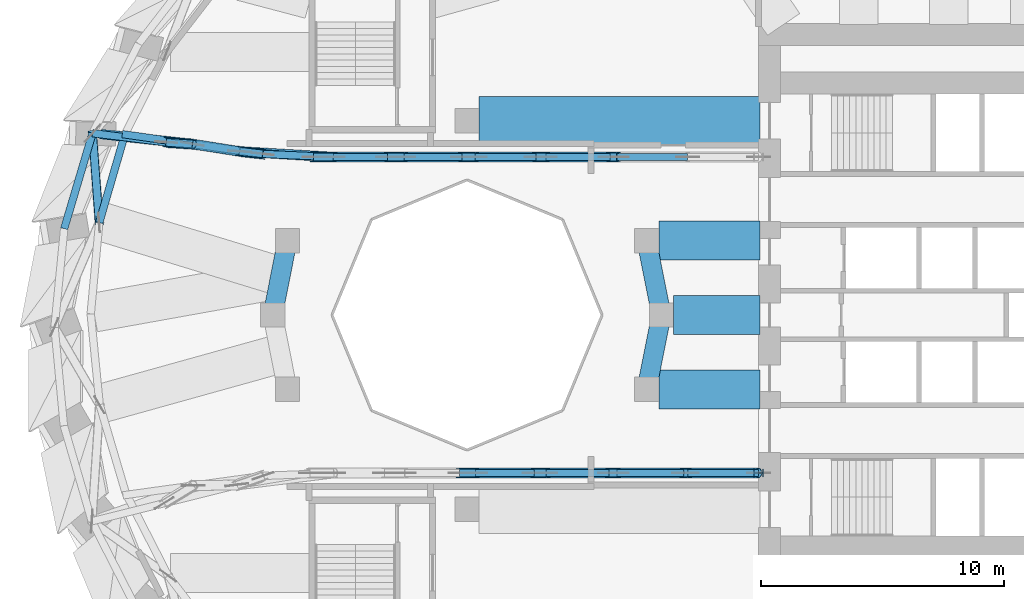
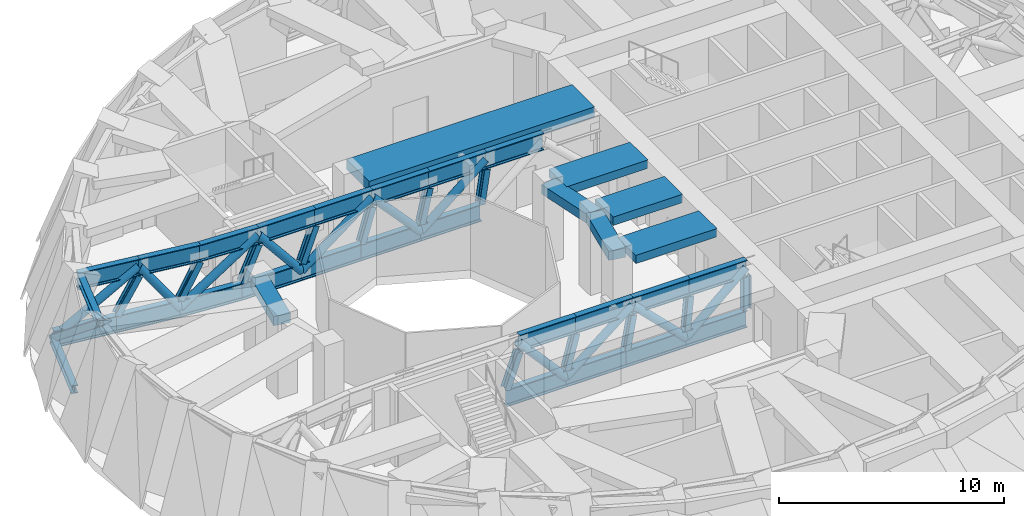
# One storey, part 3 of 14: 49 members, 7 beams.
"""IFC4 building model written with IfcOpenShell, lengths in metres."""

from ifc_helpers import new_model, si_unit, direction, frame, origin, origin_2d, place, context, subcontext, project, spatial, rectangle, hollow_rectangle, hollow_circle, i_section, extrude, material, material_profile, profile_set, type_object, element, save


model = new_model("IFC4")

# Units and contexts
model_context = context("Model", 3, precision=1e-05, world=origin(), true_north=direction((0.0, 1.0)))
body_context = subcontext(model_context, "Body", "Model", "MODEL_VIEW")
ifc_project = project(units=[si_unit("LENGTHUNIT", "METRE"), si_unit("AREAUNIT", "SQUARE_METRE"), si_unit("VOLUMEUNIT", "CUBIC_METRE"), si_unit("PLANEANGLEUNIT", "RADIAN"), si_unit("MASSUNIT", "GRAM", prefix="KILO")], contexts=[model_context])

# Site, building, storey
site_placement = place(None, origin())
site = spatial("IfcSite", under=ifc_project, at=site_placement, CompositionType="ELEMENT")
building_placement = place(site_placement, origin())
building = spatial("IfcBuilding", under=site, at=building_placement, Name="Taillehof Tower", CompositionType="ELEMENT")
storey_placement = place(building_placement, frame((0.0, 0.0, 135.10009765625)))
storey = spatial("IfcBuildingStorey", under=building, at=storey_placement, Name="L38", CompositionType="ELEMENT", Elevation=135.10009765625)

# Beams
ifc_material_1 = material(Name="Concrete C50/60", Category="concrete")
ifc_material_profile_1 = material_profile(ifc_material_1, rectangle(XDim=0.800048828125, YDim=0.5, at=origin_2d()), Name="RC 800x500")
ifc_profile_set_1 = profile_set([ifc_material_profile_1], Name="Concrete C50/60")
beam_type_1 = type_object("IfcBeamType", Name="Atrium ring beam C50/60 800x500", PredefinedType="BEAM", material=ifc_profile_set_1)
for number, where, z_axis, x_axis, name in (
    (1, (0.0, 0.0, 3.83984375), (-0.195063155143, 0.980790683839, 0.0), (-0.980790683839, -0.195063155143, 0.0), "Atrium ring beam AB01"),
    (2, (-15.39111328125, 3.0615234375, 3.83984375), (-0.195063155143, -0.980790683839, 0.0), (0.980790683839, -0.195063155143, 0.0), "Atrium ring beam AB04"),
    (3, (-0.60888671875, -3.0615234375, 3.83984375), (0.195063155143, 0.980790683839, 0.0), (-0.980790683839, 0.195063155143, 0.0), "Atrium ring beam AB08"),
):
    element("IfcBeam", number, at=place(storey_placement, frame(where, z_axis=z_axis, x_axis=x_axis)), inside=storey, type_object=beam_type_1, Name=name, PredefinedType="BEAM", context=body_context, shape_type="SweptSolid", body=[
        extrude(rectangle(XDim=0.800048828125, YDim=0.5, at=origin_2d()), origin(), (0.0, 0.0, 1.0), 3.12158203125),
    ])

# Members
ifc_material_2 = material(Name="Steel S460M", Category="steel")
ifc_material_profile_2 = material_profile(ifc_material_2, i_section(OverallWidth=0.306884765625, OverallDepth=0.431884765625, WebThickness=0.02099609375, FlangeThickness=0.0400390625, FilletRadius=0.027099609375, at=origin_2d()), Name="HEM 400")
ifc_profile_set_2 = profile_set([ifc_material_profile_2], Name="Steel S460M")
member_type_1 = type_object("IfcMemberType", Name="Belt truss chord HEM 400", PredefinedType="CHORD", material=ifc_profile_set_2)
member_1_placement = place(storey_placement, frame((-23.4130859375, 7.480712890625, 0.89990234375), z_axis=(-0.28449215675, -0.958678367727, 0.0), x_axis=(0.958678367727, -0.28449215675, 0.0)))
element("IfcMember", 4, at=member_1_placement, inside=storey, type_object=member_type_1, Name="Belt truss bottom chord BB17", PredefinedType="CHORD", context=body_context, shape_type="SweptSolid", body=[
    extrude(i_section(OverallWidth=0.306884765625, OverallDepth=0.431884765625, WebThickness=0.02099609375, FlangeThickness=0.0400390625, FilletRadius=0.027099609375, at=origin_2d()), origin(), (0.0, 0.0, 1.0), 4.095947265625),
])
member_2_placement = place(storey_placement, frame((-22.078857421875, 7.440673828125, 3.8740234375), z_axis=(-0.279047763947, -0.960277223221, 0.0), x_axis=(0.960277223221, -0.279047763947, 0.0)))
element("IfcMember", 5, at=member_2_placement, inside=storey, type_object=member_type_1, Name="Belt truss top chord BT17", PredefinedType="CHORD", context=body_context, shape_type="SweptSolid", body=[
    extrude(i_section(OverallWidth=0.306884765625, OverallDepth=0.431884765625, WebThickness=0.02099609375, FlangeThickness=0.0400390625, FilletRadius=0.027099609375, at=origin_2d()), origin(), (0.0, 0.0, 1.0), 3.791015625),
])
ifc_material_3 = material(Name="Steel S460M", Category="steel")
ifc_material_profile_3 = material_profile(ifc_material_3, hollow_rectangle(XDim=0.35009765625, YDim=0.35009765625, WallThickness=0.01611328125, InnerFilletRadius=0.01611328125, OuterFilletRadius=0.02392578125, at=origin_2d()), Name="RHS 350x350x16")
ifc_profile_set_3 = profile_set([ifc_material_profile_3], Name="Steel S460M")
member_type_2 = type_object("IfcMemberType", Name="Belt truss diagonal RHS 350x350x16", PredefinedType="BRACE", material=ifc_profile_set_3)
member_3_placement = place(storey_placement, frame((-23.4130859375, 7.480712890625, 0.89990234375), z_axis=(0.058305747327, -0.776465672223, 0.627456372737), x_axis=(0.997192522353, 0.074880393718, 0.0)))
element("IfcMember", 6, at=member_3_placement, inside=storey, type_object=member_type_2, Name="Belt truss diagonal BX17", PredefinedType="BRACE", context=body_context, shape_type="SweptSolid", body=[
    extrude(hollow_rectangle(XDim=0.35009765625, YDim=0.35009765625, WallThickness=0.01611328125, InnerFilletRadius=0.01611328125, OuterFilletRadius=0.02392578125, at=origin_2d()), origin(), (0.0, 0.0, 1.0), 4.739990234375),
])
ifc_material_4 = material(Name="Steel S460M", Category="steel")
ifc_material_profile_4 = material_profile(ifc_material_4, i_section(OverallWidth=0.302001953125, OverallDepth=0.909912109375, WebThickness=0.02099609375, FlangeThickness=0.0400390625, FilletRadius=0.030029296875, at=origin_2d()), Name="HEM 900")
ifc_profile_set_4 = profile_set([ifc_material_profile_4], Name="Steel S460M")
member_type_3 = type_object("IfcMemberType", Name="Outrigger chord HEM 900", PredefinedType="CHORD", material=ifc_profile_set_4)
member_4_placement = place(storey_placement, frame((1.0830078125, 6.5, 3.635009765625), z_axis=(-1.0, 0.0, 0.0), x_axis=(0.0, -1.0, 0.0)))
element("IfcMember", 7, at=member_4_placement, inside=storey, type_object=member_type_3, Name="Outrigger OT5 top chord 02", PredefinedType="CHORD", context=body_context, shape_type="SweptSolid", body=[
    extrude(i_section(OverallWidth=0.302001953125, OverallDepth=0.909912109375, WebThickness=0.02099609375, FlangeThickness=0.0400390625, FilletRadius=0.030029296875, at=origin_2d()), origin(), (0.0, 0.0, 1.0), 2.916748046875),
])
member_5_placement = place(storey_placement, frame((-2.105224609375, 6.5, 0.89990234375), z_axis=(-1.0, 0.0, 0.0), x_axis=(0.0, -1.0, 0.0)))
element("IfcMember", 8, at=member_5_placement, inside=storey, type_object=member_type_3, Name="Outrigger OT5 bottom chord 03", PredefinedType="CHORD", context=body_context, shape_type="SweptSolid", body=[
    extrude(i_section(OverallWidth=0.302001953125, OverallDepth=0.909912109375, WebThickness=0.02099609375, FlangeThickness=0.0400390625, FilletRadius=0.030029296875, at=origin_2d()), origin(), (0.0, 0.0, 1.0), 3.052734375),
])
member_6_placement = place(storey_placement, frame((-1.833740234375, 6.5, 3.635009765625), z_axis=(-1.0, 0.0, 0.0), x_axis=(0.0, -1.0, 0.0)))
element("IfcMember", 9, at=member_6_placement, inside=storey, type_object=member_type_3, Name="Outrigger OT5 top chord 03", PredefinedType="CHORD", context=body_context, shape_type="SweptSolid", body=[
    extrude(i_section(OverallWidth=0.302001953125, OverallDepth=0.909912109375, WebThickness=0.02099609375, FlangeThickness=0.0400390625, FilletRadius=0.030029296875, at=origin_2d()), origin(), (0.0, 0.0, 1.0), 2.9169921875),
])
member_7_placement = place(storey_placement, frame((-5.157958984375, 6.5, 0.89990234375), z_axis=(-1.0, 0.0, 0.0), x_axis=(0.0, -1.0, 0.0)))
element("IfcMember", 10, at=member_7_placement, inside=storey, type_object=member_type_3, Name="Outrigger OT5 bottom chord 04", PredefinedType="CHORD", context=body_context, shape_type="SweptSolid", body=[
    extrude(i_section(OverallWidth=0.302001953125, OverallDepth=0.909912109375, WebThickness=0.02099609375, FlangeThickness=0.0400390625, FilletRadius=0.030029296875, at=origin_2d()), origin(), (0.0, 0.0, 1.0), 3.052490234375),
])
member_8_placement = place(storey_placement, frame((-4.750732421875, 6.5, 3.635009765625), z_axis=(-1.0, 0.0, 0.0), x_axis=(0.0, -1.0, 0.0)))
element("IfcMember", 11, at=member_8_placement, inside=storey, type_object=member_type_3, Name="Outrigger OT5 top chord 04", PredefinedType="CHORD", context=body_context, shape_type="SweptSolid", body=[
    extrude(i_section(OverallWidth=0.302001953125, OverallDepth=0.909912109375, WebThickness=0.02099609375, FlangeThickness=0.0400390625, FilletRadius=0.030029296875, at=origin_2d()), origin(), (0.0, 0.0, 1.0), 2.9169921875),
])
member_9_placement = place(storey_placement, frame((-8.21044921875, 6.5, 0.89990234375), z_axis=(-1.0, 0.0, 0.0), x_axis=(0.0, -1.0, 0.0)))
element("IfcMember", 12, at=member_9_placement, inside=storey, type_object=member_type_3, Name="Outrigger OT5 bottom chord 05", PredefinedType="CHORD", context=body_context, shape_type="SweptSolid", body=[
    extrude(i_section(OverallWidth=0.302001953125, OverallDepth=0.909912109375, WebThickness=0.02099609375, FlangeThickness=0.0400390625, FilletRadius=0.030029296875, at=origin_2d()), origin(), (0.0, 0.0, 1.0), 3.052734375),
])
member_10_placement = place(storey_placement, frame((-7.667724609375, 6.5, 3.635009765625), z_axis=(-1.0, 0.0, 0.0), x_axis=(0.0, -1.0, 0.0)))
element("IfcMember", 13, at=member_10_placement, inside=storey, type_object=member_type_3, Name="Outrigger OT5 top chord 05", PredefinedType="CHORD", context=body_context, shape_type="SweptSolid", body=[
    extrude(i_section(OverallWidth=0.302001953125, OverallDepth=0.909912109375, WebThickness=0.02099609375, FlangeThickness=0.0400390625, FilletRadius=0.030029296875, at=origin_2d()), origin(), (0.0, 0.0, 1.0), 2.9169921875),
])
member_11_placement = place(storey_placement, frame((-11.26318359375, 6.5, 0.89990234375), z_axis=(-1.0, 0.0, 0.0), x_axis=(0.0, -1.0, 0.0)))
element("IfcMember", 14, at=member_11_placement, inside=storey, type_object=member_type_3, Name="Outrigger OT5 bottom chord 06", PredefinedType="CHORD", context=body_context, shape_type="SweptSolid", body=[
    extrude(i_section(OverallWidth=0.302001953125, OverallDepth=0.909912109375, WebThickness=0.02099609375, FlangeThickness=0.0400390625, FilletRadius=0.030029296875, at=origin_2d()), origin(), (0.0, 0.0, 1.0), 3.052490234375),
])
member_12_placement = place(storey_placement, frame((-10.584716796875, 6.5, 3.635009765625), z_axis=(-1.0, 0.0, 0.0), x_axis=(0.0, -1.0, 0.0)))
element("IfcMember", 15, at=member_12_placement, inside=storey, type_object=member_type_3, Name="Outrigger OT5 top chord 06", PredefinedType="CHORD", context=body_context, shape_type="SweptSolid", body=[
    extrude(i_section(OverallWidth=0.302001953125, OverallDepth=0.909912109375, WebThickness=0.02099609375, FlangeThickness=0.0400390625, FilletRadius=0.030029296875, at=origin_2d()), origin(), (0.0, 0.0, 1.0), 2.916748046875),
])
member_13_placement = place(storey_placement, frame((-14.315673828125, 6.5, 0.89990234375), z_axis=(-0.997154015173, 0.075391445306, 0.0), x_axis=(-0.075391445306, -0.997154015173, 0.0)))
element("IfcMember", 16, at=member_13_placement, inside=storey, type_object=member_type_3, Name="Outrigger OT5 bottom chord 07", PredefinedType="CHORD", context=body_context, shape_type="SweptSolid", body=[
    extrude(i_section(OverallWidth=0.302001953125, OverallDepth=0.909912109375, WebThickness=0.02099609375, FlangeThickness=0.0400390625, FilletRadius=0.030029296875, at=origin_2d()), origin(), (0.0, 0.0, 1.0), 3.04736328125),
])
member_14_placement = place(storey_placement, frame((-13.50146484375, 6.5, 3.635009765625), z_axis=(-0.999026333124, 0.044117861743, 0.0), x_axis=(-0.044117861743, -0.999026333124, 0.0)))
element("IfcMember", 17, at=member_14_placement, inside=storey, type_object=member_type_3, Name="Outrigger OT5 top chord 07", PredefinedType="CHORD", context=body_context, shape_type="SweptSolid", body=[
    extrude(i_section(OverallWidth=0.302001953125, OverallDepth=0.909912109375, WebThickness=0.02099609375, FlangeThickness=0.0400390625, FilletRadius=0.030029296875, at=origin_2d()), origin(), (0.0, 0.0, 1.0), 2.910888671875),
])
member_15_placement = place(storey_placement, frame((-17.354248046875, 6.729736328125, 0.89990234375), z_axis=(-0.992405318333, 0.12301091067, 0.0), x_axis=(-0.12301091067, -0.992405318333, 0.0)))
element("IfcMember", 18, at=member_15_placement, inside=storey, type_object=member_type_3, Name="Outrigger OT5 bottom chord 08", PredefinedType="CHORD", context=body_context, shape_type="SweptSolid", body=[
    extrude(i_section(OverallWidth=0.302001953125, OverallDepth=0.909912109375, WebThickness=0.02099609375, FlangeThickness=0.0400390625, FilletRadius=0.030029296875, at=origin_2d()), origin(), (0.0, 0.0, 1.0), 3.052490234375),
])
member_16_placement = place(storey_placement, frame((-16.409423828125, 6.62841796875, 3.635009765625), z_axis=(-0.990184132234, 0.139769039036, 0.0), x_axis=(-0.139769039036, -0.990184132234, 0.0)))
element("IfcMember", 19, at=member_16_placement, inside=storey, type_object=member_type_3, Name="Outrigger OT5 top chord 08", PredefinedType="CHORD", context=body_context, shape_type="SweptSolid", body=[
    extrude(i_section(OverallWidth=0.302001953125, OverallDepth=0.909912109375, WebThickness=0.02099609375, FlangeThickness=0.0400390625, FilletRadius=0.030029296875, at=origin_2d()), origin(), (0.0, 0.0, 1.0), 2.9169921875),
])
member_17_placement = place(storey_placement, frame((-20.383544921875, 7.105224609375, 0.89990234375), z_axis=(-0.992406528438, 0.123001147614, 0.0), x_axis=(-0.123001147614, -0.992406528438, 0.0)))
element("IfcMember", 20, at=member_17_placement, inside=storey, type_object=member_type_3, Name="Outrigger OT5 bottom chord 09", PredefinedType="CHORD", context=body_context, shape_type="SweptSolid", body=[
    extrude(i_section(OverallWidth=0.302001953125, OverallDepth=0.909912109375, WebThickness=0.02099609375, FlangeThickness=0.0400390625, FilletRadius=0.030029296875, at=origin_2d()), origin(), (0.0, 0.0, 1.0), 3.052734375),
])
member_18_placement = place(storey_placement, frame((-19.2978515625, 7.0361328125, 3.635009765625), z_axis=(-0.990182497035, 0.139780622997, 0.0), x_axis=(-0.139780622997, -0.990182497035, 0.0)))
element("IfcMember", 21, at=member_18_placement, inside=storey, type_object=member_type_3, Name="Outrigger OT5 top chord 09", PredefinedType="CHORD", context=body_context, shape_type="SweptSolid", body=[
    extrude(i_section(OverallWidth=0.302001953125, OverallDepth=0.909912109375, WebThickness=0.02099609375, FlangeThickness=0.0400390625, FilletRadius=0.030029296875, at=origin_2d()), origin(), (0.0, 0.0, 1.0), 2.916748046875),
])
member_19_placement = place(storey_placement, frame((4.0, -6.5, 0.89990234375), z_axis=(-1.0, 0.0, 0.0), x_axis=(0.0, -1.0, 0.0)))
element("IfcMember", 22, at=member_19_placement, inside=storey, type_object=member_type_3, Name="Outrigger OT6 bottom chord 01", PredefinedType="CHORD", context=body_context, shape_type="SweptSolid", body=[
    extrude(i_section(OverallWidth=0.302001953125, OverallDepth=0.909912109375, WebThickness=0.02099609375, FlangeThickness=0.0400390625, FilletRadius=0.030029296875, at=origin_2d()), origin(), (0.0, 0.0, 1.0), 3.076171875),
])
member_20_placement = place(storey_placement, frame((4.0, -6.5, 3.635009765625), z_axis=(-1.0, 0.0, 0.0), x_axis=(0.0, -1.0, 0.0)))
element("IfcMember", 23, at=member_20_placement, inside=storey, type_object=member_type_3, Name="Outrigger OT6 top chord 01", PredefinedType="CHORD", context=body_context, shape_type="SweptSolid", body=[
    extrude(i_section(OverallWidth=0.302001953125, OverallDepth=0.909912109375, WebThickness=0.02099609375, FlangeThickness=0.0400390625, FilletRadius=0.030029296875, at=origin_2d()), origin(), (0.0, 0.0, 1.0), 2.91357421875),
])
member_21_placement = place(storey_placement, frame((0.923828125, -6.5, 0.89990234375), z_axis=(-1.0, 0.0, 0.0), x_axis=(0.0, -1.0, 0.0)))
element("IfcMember", 24, at=member_21_placement, inside=storey, type_object=member_type_3, Name="Outrigger OT6 bottom chord 02", PredefinedType="CHORD", context=body_context, shape_type="SweptSolid", body=[
    extrude(i_section(OverallWidth=0.302001953125, OverallDepth=0.909912109375, WebThickness=0.02099609375, FlangeThickness=0.0400390625, FilletRadius=0.030029296875, at=origin_2d()), origin(), (0.0, 0.0, 1.0), 3.076171875),
])
member_22_placement = place(storey_placement, frame((1.08642578125, -6.5, 3.635009765625), z_axis=(-1.0, 0.0, 0.0), x_axis=(0.0, -1.0, 0.0)))
element("IfcMember", 25, at=member_22_placement, inside=storey, type_object=member_type_3, Name="Outrigger OT6 top chord 02", PredefinedType="CHORD", context=body_context, shape_type="SweptSolid", body=[
    extrude(i_section(OverallWidth=0.302001953125, OverallDepth=0.909912109375, WebThickness=0.02099609375, FlangeThickness=0.0400390625, FilletRadius=0.030029296875, at=origin_2d()), origin(), (0.0, 0.0, 1.0), 2.91357421875),
])
member_23_placement = place(storey_placement, frame((-2.15234375, -6.5, 0.89990234375), z_axis=(-1.0, 0.0, 0.0), x_axis=(0.0, -1.0, 0.0)))
element("IfcMember", 26, at=member_23_placement, inside=storey, type_object=member_type_3, Name="Outrigger OT6 bottom chord 03", PredefinedType="CHORD", context=body_context, shape_type="SweptSolid", body=[
    extrude(i_section(OverallWidth=0.302001953125, OverallDepth=0.909912109375, WebThickness=0.02099609375, FlangeThickness=0.0400390625, FilletRadius=0.030029296875, at=origin_2d()), origin(), (0.0, 0.0, 1.0), 3.076171875),
])
member_24_placement = place(storey_placement, frame((-1.8271484375, -6.5, 3.635009765625), z_axis=(-1.0, 0.0, 0.0), x_axis=(0.0, -1.0, 0.0)))
element("IfcMember", 27, at=member_24_placement, inside=storey, type_object=member_type_3, Name="Outrigger OT6 top chord 03", PredefinedType="CHORD", context=body_context, shape_type="SweptSolid", body=[
    extrude(i_section(OverallWidth=0.302001953125, OverallDepth=0.909912109375, WebThickness=0.02099609375, FlangeThickness=0.0400390625, FilletRadius=0.030029296875, at=origin_2d()), origin(), (0.0, 0.0, 1.0), 2.913330078125),
])
member_25_placement = place(storey_placement, frame((-5.228515625, -6.5, 0.89990234375), z_axis=(-1.0, 0.0, 0.0), x_axis=(0.0, -1.0, 0.0)))
element("IfcMember", 28, at=member_25_placement, inside=storey, type_object=member_type_3, Name="Outrigger OT6 bottom chord 04", PredefinedType="CHORD", context=body_context, shape_type="SweptSolid", body=[
    extrude(i_section(OverallWidth=0.302001953125, OverallDepth=0.909912109375, WebThickness=0.02099609375, FlangeThickness=0.0400390625, FilletRadius=0.030029296875, at=origin_2d()), origin(), (0.0, 0.0, 1.0), 3.076171875),
])
member_26_placement = place(storey_placement, frame((-4.740478515625, -6.5, 3.635009765625), z_axis=(-1.0, 0.0, 0.0), x_axis=(0.0, -1.0, 0.0)))
element("IfcMember", 29, at=member_26_placement, inside=storey, type_object=member_type_3, Name="Outrigger OT6 top chord 04", PredefinedType="CHORD", context=body_context, shape_type="SweptSolid", body=[
    extrude(i_section(OverallWidth=0.302001953125, OverallDepth=0.909912109375, WebThickness=0.02099609375, FlangeThickness=0.0400390625, FilletRadius=0.030029296875, at=origin_2d()), origin(), (0.0, 0.0, 1.0), 2.91357421875),
])
ifc_material_5 = material(Name="Steel S460M", Category="steel")
ifc_material_profile_5 = material_profile(ifc_material_5, hollow_circle(Radius=0.203125, WallThickness=0.02001953125, at=origin_2d()), Name="CHS 406.4x20")
ifc_profile_set_5 = profile_set([ifc_material_profile_5], Name="Steel S460M")
member_type_4 = type_object("IfcMemberType", Name="Outrigger diagonal CHS 406.4x20", PredefinedType="BRACE", material=ifc_profile_set_5)
member_27_placement = place(storey_placement, frame((-1.833740234375, 6.5, 3.635009765625), z_axis=(-0.77221337657, 0.0, -0.635363282734), x_axis=(0.0, -1.0, 0.0)))
element("IfcMember", 30, at=member_27_placement, inside=storey, type_object=member_type_4, Name="Outrigger OT5 diagonal 03", PredefinedType="BRACE", context=body_context, shape_type="SweptSolid", body=[
    extrude(hollow_circle(Radius=0.203125, WallThickness=0.02001953125, at=origin_2d()), origin(), (0.0, 0.0, 1.0), 4.3046875),
])
member_28_placement = place(storey_placement, frame((-5.157958984375, 6.5, 0.89990234375), z_axis=(-0.676102771939, 0.0, 0.736807330159), x_axis=(0.0, -1.0, 0.0)))
element("IfcMember", 31, at=member_28_placement, inside=storey, type_object=member_type_4, Name="Outrigger OT5 diagonal 04", PredefinedType="BRACE", context=body_context, shape_type="SweptSolid", body=[
    extrude(hollow_circle(Radius=0.203125, WallThickness=0.02001953125, at=origin_2d()), origin(), (0.0, 0.0, 1.0), 3.712158203125),
])
member_29_placement = place(storey_placement, frame((-7.667724609375, 6.5, 3.635009765625), z_axis=(-0.795889267968, 0.0, -0.605442212877), x_axis=(0.0, -1.0, 0.0)))
element("IfcMember", 32, at=member_29_placement, inside=storey, type_object=member_type_4, Name="Outrigger OT5 diagonal 05", PredefinedType="BRACE", context=body_context, shape_type="SweptSolid", body=[
    extrude(hollow_circle(Radius=0.203125, WallThickness=0.02001953125, at=origin_2d()), origin(), (0.0, 0.0, 1.0), 4.517578125),
])
member_30_placement = place(storey_placement, frame((-11.26318359375, 6.5, 0.89990234375), z_axis=(-0.633316783305, 0.0, 0.773892661798), x_axis=(0.0, -1.0, 0.0)))
element("IfcMember", 33, at=member_30_placement, inside=storey, type_object=member_type_4, Name="Outrigger OT5 diagonal 06", PredefinedType="BRACE", context=body_context, shape_type="SweptSolid", body=[
    extrude(hollow_circle(Radius=0.203125, WallThickness=0.02001953125, at=origin_2d()), origin(), (0.0, 0.0, 1.0), 3.5341796875),
])
member_31_placement = place(storey_placement, frame((-13.50146484375, 6.5, 3.635009765625), z_axis=(-0.81445763671, 0.048565023518, -0.578186990943), x_axis=(-0.059522942049, -0.99822693781, 0.0)))
element("IfcMember", 34, at=member_31_placement, inside=storey, type_object=member_type_4, Name="Outrigger OT5 diagonal 07", PredefinedType="BRACE", context=body_context, shape_type="SweptSolid", body=[
    extrude(hollow_circle(Radius=0.203125, WallThickness=0.02001953125, at=origin_2d()), origin(), (0.0, 0.0, 1.0), 4.73046875),
])
member_32_placement = place(storey_placement, frame((-17.354248046875, 6.729736328125, 0.89990234375), z_axis=(-0.576854139209, 0.090937312487, 0.811769491466), x_axis=(-0.155720445042, -0.987801165719, 0.0)))
element("IfcMember", 35, at=member_32_placement, inside=storey, type_object=member_type_4, Name="Outrigger OT5 diagonal 08", PredefinedType="BRACE", context=body_context, shape_type="SweptSolid", body=[
    extrude(hollow_circle(Radius=0.203125, WallThickness=0.02001953125, at=origin_2d()), origin(), (0.0, 0.0, 1.0), 3.369384765625),
])
member_33_placement = place(storey_placement, frame((-19.2978515625, 7.0361328125, 3.635009765625), z_axis=(-0.829481771343, 0.08961119516, -0.551298308279), x_axis=(-0.107407784061, -0.994215051145, 0.0)))
element("IfcMember", 36, at=member_33_placement, inside=storey, type_object=member_type_4, Name="Outrigger OT5 diagonal 09", PredefinedType="BRACE", context=body_context, shape_type="SweptSolid", body=[
    extrude(hollow_circle(Radius=0.203125, WallThickness=0.02001953125, at=origin_2d()), origin(), (0.0, 0.0, 1.0), 4.961181640625),
])
member_34_placement = place(storey_placement, frame((4.0, -6.5, 3.635009765625), z_axis=(-0.747320958857, 0.0, -0.664463230324), x_axis=(0.0, -1.0, 0.0)))
element("IfcMember", 37, at=member_34_placement, inside=storey, type_object=member_type_4, Name="Outrigger OT6 diagonal 01", PredefinedType="BRACE", context=body_context, shape_type="SweptSolid", body=[
    extrude(hollow_circle(Radius=0.203125, WallThickness=0.02001953125, at=origin_2d()), origin(), (0.0, 0.0, 1.0), 4.1162109375),
])
member_35_placement = place(storey_placement, frame((0.923828125, -6.5, 0.89990234375), z_axis=(-0.709149203587, 0.0, 0.705058442295), x_axis=(0.0, -1.0, 0.0)))
element("IfcMember", 38, at=member_35_placement, inside=storey, type_object=member_type_4, Name="Outrigger OT6 diagonal 02", PredefinedType="BRACE", context=body_context, shape_type="SweptSolid", body=[
    extrude(hollow_circle(Radius=0.203125, WallThickness=0.02001953125, at=origin_2d()), origin(), (0.0, 0.0, 1.0), 3.879150390625),
])
member_36_placement = place(storey_placement, frame((-1.8271484375, -6.5, 3.635009765625), z_axis=(-0.779300147646, 0.0, -0.626650843675), x_axis=(0.0, -1.0, 0.0)))
element("IfcMember", 39, at=member_36_placement, inside=storey, type_object=member_type_4, Name="Outrigger OT6 diagonal 03", PredefinedType="BRACE", context=body_context, shape_type="SweptSolid", body=[
    extrude(hollow_circle(Radius=0.203125, WallThickness=0.02001953125, at=origin_2d()), origin(), (0.0, 0.0, 1.0), 4.36474609375),
])
member_37_placement = place(storey_placement, frame((-5.228515625, -6.5, 0.89990234375), z_axis=(-0.663497045435, 0.0, 0.748178902869), x_axis=(0.0, -1.0, 0.0)))
element("IfcMember", 40, at=member_37_placement, inside=storey, type_object=member_type_4, Name="Outrigger OT6 diagonal 04", PredefinedType="BRACE", context=body_context, shape_type="SweptSolid", body=[
    extrude(hollow_circle(Radius=0.203125, WallThickness=0.02001953125, at=origin_2d()), origin(), (0.0, 0.0, 1.0), 3.65576171875),
])
ifc_material_6 = material(Name="Steel S460M", Category="steel")
ifc_material_profile_6 = material_profile(ifc_material_6, i_section(OverallWidth=0.300048828125, OverallDepth=0.39990234375, WebThickness=0.013427734375, FlangeThickness=0.02392578125, FilletRadius=0.027099609375, at=origin_2d()), Name="HEB 400")
ifc_profile_set_6 = profile_set([ifc_material_profile_6], Name="Steel S460M")
member_type_5 = type_object("IfcMemberType", Name="Outrigger post HEB 400", PredefinedType="POST", material=ifc_profile_set_6)
member_38_placement = place(storey_placement, frame((-2.105224609375, 6.5, 1.35498046875), z_axis=(0.147143289301, 0.0, 0.989115186626), x_axis=(-0.989115186626, 0.0, 0.147143289301)))
element("IfcMember", 41, at=member_38_placement, inside=storey, type_object=member_type_5, Name="Outrigger OT5 post 03", PredefinedType="POST", context=body_context, shape_type="SweptSolid", body=[
    extrude(i_section(OverallWidth=0.300048828125, OverallDepth=0.39990234375, WebThickness=0.013427734375, FlangeThickness=0.02392578125, FilletRadius=0.027099609375, at=origin_2d()), origin(), (0.0, 0.0, 1.0), 1.844970703125),
])
member_39_placement = place(storey_placement, frame((-5.157958984375, 6.5, 1.35498046875), z_axis=(0.217787515071, 0.0, 0.975996208127), x_axis=(-0.975996208127, 0.0, 0.217787515071)))
element("IfcMember", 42, at=member_39_placement, inside=storey, type_object=member_type_5, Name="Outrigger OT5 post 04", PredefinedType="POST", context=body_context, shape_type="SweptSolid", body=[
    extrude(i_section(OverallWidth=0.300048828125, OverallDepth=0.39990234375, WebThickness=0.013427734375, FlangeThickness=0.02392578125, FilletRadius=0.027099609375, at=origin_2d()), origin(), (0.0, 0.0, 1.0), 1.869873046875),
])
member_40_placement = place(storey_placement, frame((-8.21044921875, 6.5, 1.35498046875), z_axis=(0.285053056479, 0.0, 0.958511739621), x_axis=(-0.958511739621, 0.0, 0.285053056479)))
element("IfcMember", 43, at=member_40_placement, inside=storey, type_object=member_type_5, Name="Outrigger OT5 post 05", PredefinedType="POST", context=body_context, shape_type="SweptSolid", body=[
    extrude(i_section(OverallWidth=0.300048828125, OverallDepth=0.39990234375, WebThickness=0.013427734375, FlangeThickness=0.02392578125, FilletRadius=0.027099609375, at=origin_2d()), origin(), (0.0, 0.0, 1.0), 1.904052734375),
])
member_41_placement = place(storey_placement, frame((-11.26318359375, 6.5, 1.35498046875), z_axis=(0.348469864509, 0.0, 0.937319984599), x_axis=(-0.937319984599, 0.0, 0.348469864509)))
element("IfcMember", 44, at=member_41_placement, inside=storey, type_object=member_type_5, Name="Outrigger OT5 post 06", PredefinedType="POST", context=body_context, shape_type="SweptSolid", body=[
    extrude(i_section(OverallWidth=0.300048828125, OverallDepth=0.39990234375, WebThickness=0.013427734375, FlangeThickness=0.02392578125, FilletRadius=0.027099609375, at=origin_2d()), origin(), (0.0, 0.0, 1.0), 1.947021484375),
])
member_42_placement = place(storey_placement, frame((-14.315673828125, 6.5, 1.35498046875), z_axis=(0.407441634291, 0.0, 0.913231249272), x_axis=(-0.912581954575, 0.037702342614, 0.407151948964)))
element("IfcMember", 45, at=member_42_placement, inside=storey, type_object=member_type_5, Name="Outrigger OT5 post 07", PredefinedType="POST", context=body_context, shape_type="SweptSolid", body=[
    extrude(i_section(OverallWidth=0.300048828125, OverallDepth=0.39990234375, WebThickness=0.013427734375, FlangeThickness=0.02392578125, FilletRadius=0.027099609375, at=origin_2d()), origin(), (0.0, 0.0, 1.0), 1.998291015625),
])
member_43_placement = place(storey_placement, frame((-17.354248046875, 6.729736328125, 1.35498046875), z_axis=(0.459204471296, -0.049242856741, 0.886964708769), x_axis=(-0.866969537983, 0.192799754308, 0.459556389302)))
element("IfcMember", 46, at=member_43_placement, inside=storey, type_object=member_type_5, Name="Outrigger OT5 post 08", PredefinedType="POST", context=body_context, shape_type="SweptSolid", body=[
    extrude(i_section(OverallWidth=0.300048828125, OverallDepth=0.39990234375, WebThickness=0.013427734375, FlangeThickness=0.02392578125, FilletRadius=0.027099609375, at=origin_2d()), origin(), (0.0, 0.0, 1.0), 2.0576171875),
])
member_44_placement = place(storey_placement, frame((-20.383544921875, 7.105224609375, 1.35498046875), z_axis=(0.511009276464, -0.032519816784, 0.858959824953), x_axis=(-0.842904282283, 0.17689320869, 0.508154665066)))
element("IfcMember", 47, at=member_44_placement, inside=storey, type_object=member_type_5, Name="Outrigger OT5 post 09", PredefinedType="POST", context=body_context, shape_type="SweptSolid", body=[
    extrude(i_section(OverallWidth=0.300048828125, OverallDepth=0.39990234375, WebThickness=0.013427734375, FlangeThickness=0.02392578125, FilletRadius=0.027099609375, at=origin_2d()), origin(), (0.0, 0.0, 1.0), 2.12451171875),
])
member_45_placement = place(storey_placement, frame((4.0, -6.5, 1.35498046875), z_axis=(0.0, 0.0, 1.0), x_axis=(0.0, 1.0, 0.0)))
element("IfcMember", 48, at=member_45_placement, inside=storey, type_object=member_type_5, Name="Outrigger OT6 post 01", PredefinedType="POST", context=body_context, shape_type="SweptSolid", body=[
    extrude(i_section(OverallWidth=0.300048828125, OverallDepth=0.39990234375, WebThickness=0.013427734375, FlangeThickness=0.02392578125, FilletRadius=0.027099609375, at=origin_2d()), origin(), (0.0, 0.0, 1.0), 1.824951171875),
])
member_46_placement = place(storey_placement, frame((0.923828125, -6.5, 1.35498046875), z_axis=(0.088745443449, 0.0, 0.996054339013), x_axis=(-0.996054339013, 0.0, 0.088745443449)))
element("IfcMember", 49, at=member_46_placement, inside=storey, type_object=member_type_5, Name="Outrigger OT6 post 02", PredefinedType="POST", context=body_context, shape_type="SweptSolid", body=[
    extrude(i_section(OverallWidth=0.300048828125, OverallDepth=0.39990234375, WebThickness=0.013427734375, FlangeThickness=0.02392578125, FilletRadius=0.027099609375, at=origin_2d()), origin(), (0.0, 0.0, 1.0), 1.832275390625),
])
member_47_placement = place(storey_placement, frame((-2.15234375, -6.5, 1.35498046875), z_axis=(0.175430514788, 0.0, 0.984491815345), x_axis=(-0.984491815345, 0.0, 0.175430514788)))
element("IfcMember", 50, at=member_47_placement, inside=storey, type_object=member_type_5, Name="Outrigger OT6 post 03", PredefinedType="POST", context=body_context, shape_type="SweptSolid", body=[
    extrude(i_section(OverallWidth=0.300048828125, OverallDepth=0.39990234375, WebThickness=0.013427734375, FlangeThickness=0.02392578125, FilletRadius=0.027099609375, at=origin_2d()), origin(), (0.0, 0.0, 1.0), 1.853759765625),
])
member_48_placement = place(storey_placement, frame((-5.228515625, -6.5, 1.35498046875), z_axis=(0.258346312871, 0.0, 0.96605237054), x_axis=(-0.96605237054, 0.0, 0.258346312871)))
element("IfcMember", 51, at=member_48_placement, inside=storey, type_object=member_type_5, Name="Outrigger OT6 post 04", PredefinedType="POST", context=body_context, shape_type="SweptSolid", body=[
    extrude(i_section(OverallWidth=0.300048828125, OverallDepth=0.39990234375, WebThickness=0.013427734375, FlangeThickness=0.02392578125, FilletRadius=0.027099609375, at=origin_2d()), origin(), (0.0, 0.0, 1.0), 1.88916015625),
])
member_49_placement = place(storey_placement, frame((-8.3046875, -6.5, 1.35498046875), z_axis=(0.335817479961, 0.0, 0.941927077938), x_axis=(-0.941927077938, 0.0, 0.335817479961)))
element("IfcMember", 52, at=member_49_placement, inside=storey, type_object=member_type_5, Name="Outrigger OT6 post 05", PredefinedType="POST", context=body_context, shape_type="SweptSolid", body=[
    extrude(i_section(OverallWidth=0.300048828125, OverallDepth=0.39990234375, WebThickness=0.013427734375, FlangeThickness=0.02392578125, FilletRadius=0.027099609375, at=origin_2d()), origin(), (0.0, 0.0, 1.0), 1.9375),
])

# Beams
ifc_material_7 = material(Name="Concrete C50/60", Category="concrete")
ifc_material_profile_7 = material_profile(ifc_material_7, rectangle(XDim=1.60009765625, YDim=0.449951171875, at=origin_2d()), Name="RC 1600x450")
ifc_profile_set_7 = profile_set([ifc_material_profile_7], Name="Concrete C50/60")
beam_type_2 = type_object("IfcBeamType", Name="Radial band beam C50/60 1600x450", PredefinedType="BEAM", material=ifc_profile_set_7)
beam_1_placement = place(storey_placement, frame((0.5, 0.0, 3.864990234375), z_axis=(1.0, 0.0, 0.0), x_axis=(0.0, 1.0, 0.0)))
element("IfcBeam", 53, at=beam_1_placement, inside=storey, type_object=beam_type_2, Name="Inner band beam IB101", PredefinedType="BEAM", context=body_context, shape_type="SweptSolid", body=[
    extrude(rectangle(XDim=1.60009765625, YDim=0.449951171875, at=origin_2d()), origin(), (0.0, 0.0, 1.0), 3.550048828125),
])
for number, where, z_axis, x_axis, name in (
    (54, (-0.10888671875, 3.0615234375, 3.864990234375), (1.0, 0.0, 0.0), (0.0, 1.0, 0.0), "Inner band beam IB102"),
    (55, (-0.10888671875, -3.0615234375, 3.864990234375), (1.0, 0.0, 0.0), (0.0, 1.0, 0.0), "Inner band beam IB116"),
):
    element("IfcBeam", number, at=place(storey_placement, frame(where, z_axis=z_axis, x_axis=x_axis)), inside=storey, type_object=beam_type_2, Name=name, PredefinedType="BEAM", context=body_context, shape_type="SweptSolid", body=[
        extrude(rectangle(XDim=1.60009765625, YDim=0.449951171875, at=origin_2d()), origin(), (0.0, 0.0, 1.0), 4.158935546875),
    ])
ifc_material_8 = material(Name="Concrete C50/60", Category="concrete")
ifc_material_profile_8 = material_profile(ifc_material_8, rectangle(XDim=2.0, YDim=0.550048828125, at=origin_2d()), Name="RC 2000x550")
ifc_profile_set_8 = profile_set([ifc_material_profile_8], Name="Concrete C50/60")
beam_type_3 = type_object("IfcBeamType", Name="Radial band beam C50/60 2000x550", PredefinedType="BEAM", material=ifc_profile_set_8)
beam_2_placement = place(storey_placement, frame((-7.5, 8.0, 3.81494140625), z_axis=(1.0, 0.0, 0.0), x_axis=(0.0, 1.0, 0.0)))
element("IfcBeam", 56, at=beam_2_placement, inside=storey, type_object=beam_type_3, Name="Inner band beam IB105", PredefinedType="BEAM", context=body_context, shape_type="SweptSolid", body=[
    extrude(rectangle(XDim=2.0, YDim=0.550048828125, at=origin_2d()), origin(), (0.0, 0.0, 1.0), 11.550048828125),
])

save(model, "model.ifc")
